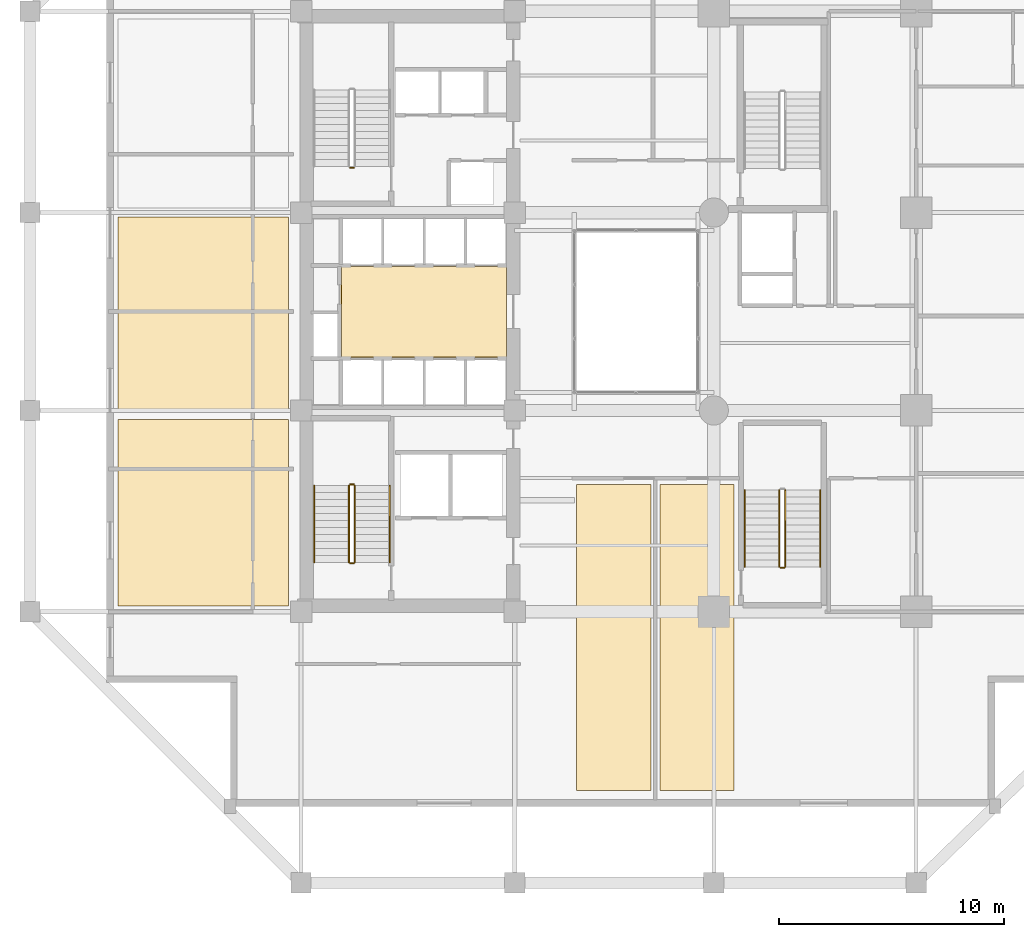
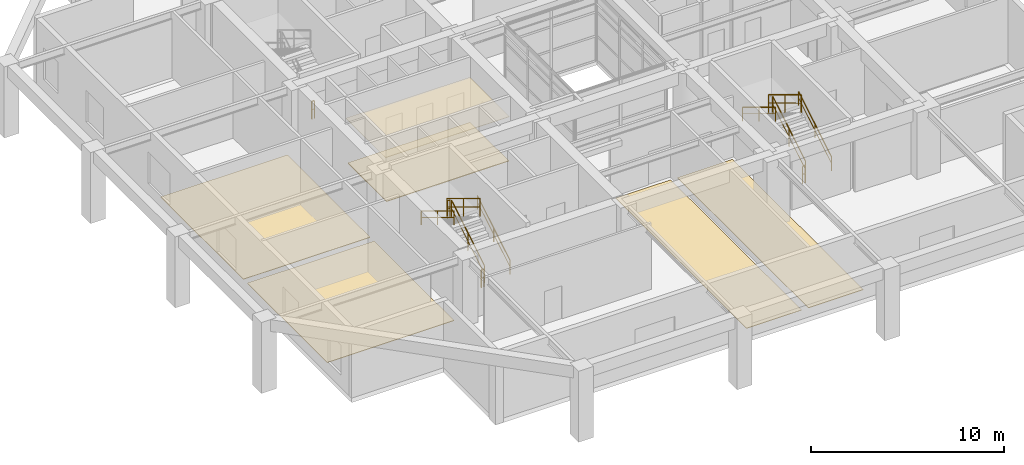
# One storey, part 11 of 13: 12 railings, 6 coverings.
"""IFC4 building model written with IfcOpenShell, lengths in metres."""

from ifc_helpers import new_model, si_unit, direction, frame, origin, origin_2d, place, context, subcontext, project, spatial, polyline, rectangle, outline, extrude, material, layer, layer_set, type_object, element, save


model = new_model("IFC4")

# Units and contexts
model_context = context("Model", 3, precision=1e-05, world=origin(), true_north=direction((0.0, 1.0)))
body_context = subcontext(model_context, "Body", "Model", "MODEL_VIEW")
ifc_project = project(units=[si_unit("LENGTHUNIT", "METRE"), si_unit("AREAUNIT", "SQUARE_METRE"), si_unit("VOLUMEUNIT", "CUBIC_METRE"), si_unit("PLANEANGLEUNIT", "RADIAN"), si_unit("MASSUNIT", "GRAM", prefix="KILO")], contexts=[model_context])

# Site, building, storey
site_placement = place(None, origin())
site = spatial("IfcSite", under=ifc_project, at=site_placement, CompositionType="ELEMENT")
building_placement = place(site_placement, origin())
building = spatial("IfcBuilding", under=site, at=building_placement, Name="Kundavana Baori Tower", CompositionType="ELEMENT")
storey_placement = place(building_placement, frame((0.0, 0.0, 17.0)))
storey = spatial("IfcBuildingStorey", under=building, at=storey_placement, Name="L03", CompositionType="ELEMENT", Elevation=17.0)

# Coverings
ifc_material_1 = material(Name="Honed Kota Stone and Terrazzo Flooring", Category="masonry")
ifc_layer_1 = layer(ifc_material_1, 0.0400390625, Name="COV-FLR-TERR-40")
ifc_layer_set_1 = layer_set([ifc_layer_1], Name="Honed Kota Stone and Terrazzo Flooring")
covering_type_1 = type_object("IfcCoveringType", Name="COV-FLR-TERR-40", PredefinedType="FLOORING", material=ifc_layer_set_1)
covering_1_placement = place(storey_placement, origin())
element("IfcCovering", 1, at=covering_1_placement, inside=storey, type_object=covering_type_1, Name="L03 Core Lift Lobby Kota Stone Flooring", PredefinedType="FLOORING", context=body_context, shape_type="SweptSolid", body=[
    extrude(outline(polyline([(17.25, 26.580078125), (24.580078125, 26.580078125), (24.580078125, 30.60009765625), (17.25, 30.60009765625), (17.25, 26.580078125)])), origin(), (0.0, 0.0, 1.0), 0.0400390625),
])
ifc_material_2 = material(Name="Perforated Acoustic Mineral Fibre Ceiling Board")
ifc_layer_2 = layer(ifc_material_2, 0.02490234375, Name="COV-INT-CEIL")
ifc_layer_set_2 = layer_set([ifc_layer_2], Name="Perforated Acoustic Mineral Fibre Ceiling Board")
covering_type_2 = type_object("IfcCoveringType", Name="COV-INT-CEIL", PredefinedType="CEILING", material=ifc_layer_set_2)
covering_2_placement = place(storey_placement, frame((0.0, 0.0, 2.85009765625)))
element("IfcCovering", 2, at=covering_2_placement, inside=storey, type_object=covering_type_2, Name="L03 Core Lift Lobby Acoustic Ceiling", PredefinedType="CEILING", context=body_context, shape_type="SweptSolid", body=[
    extrude(outline(polyline([(17.159912109375, 26.52001953125), (24.580078125, 26.52001953125), (24.580078125, 30.639892578125), (17.159912109375, 30.639892578125), (17.159912109375, 26.52001953125)])), origin(), (0.0, 0.0, 1.0), 0.02490234375),
])
ifc_material_3 = material(Name="Honed Kota Stone and Terrazzo Flooring", Category="masonry")
ifc_layer_3 = layer(ifc_material_3, 0.030029296875, Name="COV-INT-FLR")
ifc_layer_set_3 = layer_set([ifc_layer_3], Name="Honed Kota Stone and Terrazzo Flooring")
covering_type_3 = type_object("IfcCoveringType", Name="COV-INT-FLR", PredefinedType="FLOORING", material=ifc_layer_set_3)
covering_3_placement = place(storey_placement, origin())
element("IfcCovering", 3, at=covering_3_placement, inside=storey, type_object=covering_type_3, Name="L03 Room Finished Stone Flooring 1", PredefinedType="FLOORING", context=body_context, shape_type="SweptSolid", body=[
    extrude(outline(polyline([(7.300048828125, 15.5), (14.89990234375, 15.5), (14.89990234375, 23.800048828125), (7.300048828125, 23.800048828125), (7.300048828125, 15.5)])), origin(), (0.0, 0.0, 1.0), 0.030029296875),
])
covering_4_placement = place(storey_placement, origin())
element("IfcCovering", 4, at=covering_4_placement, inside=storey, type_object=covering_type_3, Name="L03 Room Finished Stone Flooring 2", PredefinedType="FLOORING", context=body_context, shape_type="SweptSolid", body=[
    extrude(outline(polyline([(7.300048828125, 24.199951171875), (14.89990234375, 24.199951171875), (14.89990234375, 32.800048828125), (7.300048828125, 32.800048828125), (7.300048828125, 24.199951171875)])), origin(), (0.0, 0.0, 1.0), 0.030029296875),
])
covering_5_placement = place(storey_placement, origin())
element("IfcCovering", 5, at=covering_5_placement, inside=storey, type_object=covering_type_3, Name="L03 Room Finished Stone Flooring 5", PredefinedType="FLOORING", context=body_context, shape_type="SweptSolid", body=[
    extrude(outline(polyline([(27.699951171875, 7.300048828125), (31.0, 7.300048828125), (31.0, 20.89990234375), (27.699951171875, 20.89990234375), (27.699951171875, 7.300048828125)])), origin(), (0.0, 0.0, 1.0), 0.030029296875),
])
covering_6_placement = place(storey_placement, origin())
element("IfcCovering", 6, at=covering_6_placement, inside=storey, type_object=covering_type_3, Name="L03 Room Finished Stone Flooring 6", PredefinedType="FLOORING", context=body_context, shape_type="SweptSolid", body=[
    extrude(outline(polyline([(31.39990234375, 7.300048828125), (34.699951171875, 7.300048828125), (34.699951171875, 20.89990234375), (31.39990234375, 20.89990234375), (31.39990234375, 7.300048828125)])), origin(), (0.0, 0.0, 1.0), 0.030029296875),
])

# Railings
ifc_material_4 = material(Name="Architectural Patinated Bronze Metalwork")
railing_type_1 = type_object("IfcRailingType", Name="RL-GRD-1150", PredefinedType="GUARDRAIL", material=ifc_material_4)
railing_1_placement = place(storey_placement, frame((17.840087890625, 17.449951171875, 0.1875)))
element("IfcRailing", 7, at=railing_1_placement, inside=storey, type_object=railing_type_1, Name="L03 ST1 stair guard 1", PredefinedType="GUARDRAIL", context=body_context, shape_type="SweptSolid", body=[
    extrude(rectangle(XDim=0.048095703125, YDim=0.048095703125, at=origin_2d()), frame((0.0, 0.0, 1.1259765625), z_axis=(0.0, 0.855671421885, 0.517519485401), x_axis=(-1.0, 0.0, 0.0)), (0.0, 0.0, 1.0), 3.9853515625),
    extrude(rectangle(XDim=0.03125, YDim=0.03125, at=origin_2d()), frame((0.0, 0.0, 0.597900390625), z_axis=(0.0, 0.855671421885, 0.517519485401), x_axis=(-1.0, 0.0, 0.0)), (0.0, 0.0, 1.0), 3.9853515625),
    extrude(rectangle(XDim=0.0419921875, YDim=0.0419921875, at=origin_2d()), origin(), (0.0, 0.0, 1.0), 1.101806640625),
    extrude(rectangle(XDim=0.0419921875, YDim=0.0419921875, at=origin_2d()), frame((0.0, 1.705078125, 1.03125)), (0.0, 0.0, 1.0), 1.101806640625),
    extrude(rectangle(XDim=0.0419921875, YDim=0.0419921875, at=origin_2d()), frame((0.0, 3.41015625, 2.0625)), (0.0, 0.0, 1.0), 1.101806640625),
])
railing_2_placement = place(storey_placement, frame((17.7900390625, 20.909912109375, 2.25)))
element("IfcRailing", 8, at=railing_2_placement, inside=storey, type_object=railing_type_1, Name="L03 ST1 stair guard 2", PredefinedType="GUARDRAIL", context=body_context, shape_type="SweptSolid", body=[
    extrude(rectangle(XDim=0.048095703125, YDim=0.048095703125, at=origin_2d()), frame((0.0, 0.0, 1.1259765625), z_axis=(-1.0, 0.0, 0.0), x_axis=(0.0, -1.0, 0.0)), (0.0, 0.0, 1.0), 0.16015625),
    extrude(rectangle(XDim=0.03125, YDim=0.03125, at=origin_2d()), frame((0.0, 0.0, 0.597900390625), z_axis=(-1.0, 0.0, 0.0), x_axis=(0.0, -1.0, 0.0)), (0.0, 0.0, 1.0), 0.16015625),
    extrude(rectangle(XDim=0.0419921875, YDim=0.0419921875, at=origin_2d()), origin(), (0.0, 0.0, 1.0), 1.101806640625),
    extrude(rectangle(XDim=0.0419921875, YDim=0.0419921875, at=origin_2d()), frame((-0.16015625, 0.0, 0.0)), (0.0, 0.0, 1.0), 1.101806640625),
])
railing_3_placement = place(storey_placement, frame((17.580078125, 20.860107421875, 2.4375)))
element("IfcRailing", 9, at=railing_3_placement, inside=storey, type_object=railing_type_1, Name="L03 ST1 stair guard 3", PredefinedType="GUARDRAIL", context=body_context, shape_type="SweptSolid", body=[
    extrude(rectangle(XDim=0.048095703125, YDim=0.048095703125, at=origin_2d()), frame((0.0, 0.0, 1.1259765625), z_axis=(0.0, -0.855671421885, 0.517519485401), x_axis=(1.0, 0.0, 0.0)), (0.0, 0.0, 1.0), 3.9853515625),
    extrude(rectangle(XDim=0.03125, YDim=0.03125, at=origin_2d()), frame((0.0, 0.0, 0.597900390625), z_axis=(0.0, -0.855671421885, 0.517519485401), x_axis=(1.0, 0.0, 0.0)), (0.0, 0.0, 1.0), 3.9853515625),
    extrude(rectangle(XDim=0.0419921875, YDim=0.0419921875, at=origin_2d()), origin(), (0.0, 0.0, 1.0), 1.101806640625),
    extrude(rectangle(XDim=0.0419921875, YDim=0.0419921875, at=origin_2d()), frame((0.0, -1.705078125, 1.03125)), (0.0, 0.0, 1.0), 1.101806640625),
    extrude(rectangle(XDim=0.0419921875, YDim=0.0419921875, at=origin_2d()), frame((0.0, -3.41015625, 2.0625)), (0.0, 0.0, 1.0), 1.101806640625),
])
for number, where, name in (
    (10, (17.7900390625, 17.39990234375, 0.0), "L03 ST1 stair guard 4"),
    (11, (17.7900390625, 35.0, 0.0), "L03 ST2 stair guard 4"),
):
    element("IfcRailing", number, at=place(storey_placement, frame(where)), inside=storey, type_object=railing_type_1, Name=name, PredefinedType="GUARDRAIL", context=body_context, shape_type="SweptSolid", body=[
        extrude(rectangle(XDim=0.048095703125, YDim=0.048095703125, at=origin_2d()), frame((0.0, 0.0, 1.1259765625), z_axis=(-1.0, 0.0, 0.0), x_axis=(0.0, -1.0, 0.0)), (0.0, 0.0, 1.0), 0.16015625),
        extrude(rectangle(XDim=0.03125, YDim=0.03125, at=origin_2d()), frame((0.0, 0.0, 0.597900390625), z_axis=(-1.0, 0.0, 0.0), x_axis=(0.0, -1.0, 0.0)), (0.0, 0.0, 1.0), 0.16015625),
        extrude(rectangle(XDim=0.0419921875, YDim=0.0419921875, at=origin_2d()), origin(), (0.0, 0.0, 1.0), 1.101806640625),
        extrude(rectangle(XDim=0.0419921875, YDim=0.0419921875, at=origin_2d()), frame((-0.16015625, 0.0, 0.0)), (0.0, 0.0, 1.0), 1.101806640625),
    ])
railing_4_placement = place(storey_placement, frame((36.97998046875, 17.25, 0.1875)))
element("IfcRailing", 12, at=railing_4_placement, inside=storey, type_object=railing_type_1, Name="L03 ST4 stair guard 1", PredefinedType="GUARDRAIL", context=body_context, shape_type="SweptSolid", body=[
    extrude(rectangle(XDim=0.048095703125, YDim=0.048095703125, at=origin_2d()), frame((0.0, 0.0, 1.1259765625), z_axis=(0.0, 0.855655013707, 0.517546613861), x_axis=(-1.0, 0.0, 0.0)), (0.0, 0.0, 1.0), 3.985107421875),
    extrude(rectangle(XDim=0.03125, YDim=0.03125, at=origin_2d()), frame((0.0, 0.0, 0.597900390625), z_axis=(0.0, 0.855655013707, 0.517546613861), x_axis=(-1.0, 0.0, 0.0)), (0.0, 0.0, 1.0), 3.985107421875),
    extrude(rectangle(XDim=0.0419921875, YDim=0.0419921875, at=origin_2d()), origin(), (0.0, 0.0, 1.0), 1.101806640625),
    extrude(rectangle(XDim=0.0419921875, YDim=0.0419921875, at=origin_2d()), frame((0.0, 1.705078125, 1.03125)), (0.0, 0.0, 1.0), 1.101806640625),
    extrude(rectangle(XDim=0.0419921875, YDim=0.0419921875, at=origin_2d()), frame((0.0, 3.409912109375, 2.0625)), (0.0, 0.0, 1.0), 1.101806640625),
])
railing_5_placement = place(storey_placement, frame((36.719970703125, 20.659912109375, 2.4375)))
element("IfcRailing", 13, at=railing_5_placement, inside=storey, type_object=railing_type_1, Name="L03 ST4 stair guard 3", PredefinedType="GUARDRAIL", context=body_context, shape_type="SweptSolid", body=[
    extrude(rectangle(XDim=0.048095703125, YDim=0.048095703125, at=origin_2d()), frame((0.0, 0.0, 1.1259765625), z_axis=(0.0, -0.855655013707, 0.517546613861), x_axis=(1.0, 0.0, 0.0)), (0.0, 0.0, 1.0), 3.985107421875),
    extrude(rectangle(XDim=0.03125, YDim=0.03125, at=origin_2d()), frame((0.0, 0.0, 0.597900390625), z_axis=(0.0, -0.855655013707, 0.517546613861), x_axis=(1.0, 0.0, 0.0)), (0.0, 0.0, 1.0), 3.985107421875),
    extrude(rectangle(XDim=0.0419921875, YDim=0.0419921875, at=origin_2d()), origin(), (0.0, 0.0, 1.0), 1.101806640625),
    extrude(rectangle(XDim=0.0419921875, YDim=0.0419921875, at=origin_2d()), frame((0.0, -1.705078125, 1.03125)), (0.0, 0.0, 1.0), 1.101806640625),
    extrude(rectangle(XDim=0.0419921875, YDim=0.0419921875, at=origin_2d()), frame((0.0, -3.409912109375, 2.0625)), (0.0, 0.0, 1.0), 1.101806640625),
])
railing_6_placement = place(storey_placement, frame((36.929931640625, 17.199951171875, 0.0)))
element("IfcRailing", 14, at=railing_6_placement, inside=storey, type_object=railing_type_1, Name="L03 ST4 stair guard 4", PredefinedType="GUARDRAIL", context=body_context, shape_type="SweptSolid", body=[
    extrude(rectangle(XDim=0.048095703125, YDim=0.048095703125, at=origin_2d()), frame((0.0, 0.0, 1.1259765625), z_axis=(-1.0, 0.0, 0.0), x_axis=(0.0, -1.0, 0.0)), (0.0, 0.0, 1.0), 0.159912109375),
    extrude(rectangle(XDim=0.03125, YDim=0.03125, at=origin_2d()), frame((0.0, 0.0, 0.597900390625), z_axis=(-1.0, 0.0, 0.0), x_axis=(0.0, -1.0, 0.0)), (0.0, 0.0, 1.0), 0.159912109375),
    extrude(rectangle(XDim=0.0419921875, YDim=0.0419921875, at=origin_2d()), origin(), (0.0, 0.0, 1.0), 1.101806640625),
    extrude(rectangle(XDim=0.0419921875, YDim=0.0419921875, at=origin_2d()), frame((-0.159912109375, 0.0, 0.0)), (0.0, 0.0, 1.0), 1.101806640625),
])
ifc_material_5 = material(Name="Architectural Patinated Bronze Metalwork")
railing_type_2 = type_object("IfcRailingType", Name="RL-HND-920", PredefinedType="HANDRAIL", material=ifc_material_5)
railing_7_placement = place(storey_placement, frame((19.389892578125, 17.449951171875, 0.1875)))
element("IfcRailing", 15, at=railing_7_placement, inside=storey, type_object=railing_type_2, Name="L03 ST1 stair handrail 1", PredefinedType="HANDRAIL", context=body_context, shape_type="SweptSolid", body=[
    extrude(rectangle(XDim=0.048095703125, YDim=0.048095703125, at=origin_2d()), frame((0.0, 0.0, 0.8759765625), z_axis=(0.0, 0.855671421885, 0.517519485401), x_axis=(-1.0, 0.0, 0.0)), (0.0, 0.0, 1.0), 3.9853515625),
    extrude(rectangle(XDim=0.03125, YDim=0.03125, at=origin_2d()), frame((0.0, 0.0, 0.468017578125), z_axis=(0.0, 0.855671421885, 0.517519485401), x_axis=(-1.0, 0.0, 0.0)), (0.0, 0.0, 1.0), 3.9853515625),
    extrude(rectangle(XDim=0.0419921875, YDim=0.0419921875, at=origin_2d()), origin(), (0.0, 0.0, 1.0), 0.851806640625),
    extrude(rectangle(XDim=0.0419921875, YDim=0.0419921875, at=origin_2d()), frame((0.0, 1.705078125, 1.03125)), (0.0, 0.0, 1.0), 0.851806640625),
    extrude(rectangle(XDim=0.0419921875, YDim=0.0419921875, at=origin_2d()), frame((0.0, 3.41015625, 2.0625)), (0.0, 0.0, 1.0), 0.851806640625),
])
railing_8_placement = place(storey_placement, frame((16.030029296875, 20.860107421875, 2.4375)))
element("IfcRailing", 16, at=railing_8_placement, inside=storey, type_object=railing_type_2, Name="L03 ST1 stair handrail 2", PredefinedType="HANDRAIL", context=body_context, shape_type="SweptSolid", body=[
    extrude(rectangle(XDim=0.048095703125, YDim=0.048095703125, at=origin_2d()), frame((0.0, 0.0, 0.8759765625), z_axis=(0.0, -0.855671421885, 0.517519485401), x_axis=(1.0, 0.0, 0.0)), (0.0, 0.0, 1.0), 3.9853515625),
    extrude(rectangle(XDim=0.03125, YDim=0.03125, at=origin_2d()), frame((0.0, 0.0, 0.468017578125), z_axis=(0.0, -0.855671421885, 0.517519485401), x_axis=(1.0, 0.0, 0.0)), (0.0, 0.0, 1.0), 3.9853515625),
    extrude(rectangle(XDim=0.0419921875, YDim=0.0419921875, at=origin_2d()), origin(), (0.0, 0.0, 1.0), 0.851806640625),
    extrude(rectangle(XDim=0.0419921875, YDim=0.0419921875, at=origin_2d()), frame((0.0, -1.705078125, 1.03125)), (0.0, 0.0, 1.0), 0.851806640625),
    extrude(rectangle(XDim=0.0419921875, YDim=0.0419921875, at=origin_2d()), frame((0.0, -3.41015625, 2.0625)), (0.0, 0.0, 1.0), 0.851806640625),
])
railing_9_placement = place(storey_placement, frame((38.530029296875, 17.25, 0.1875)))
element("IfcRailing", 17, at=railing_9_placement, inside=storey, type_object=railing_type_2, Name="L03 ST4 stair handrail 1", PredefinedType="HANDRAIL", context=body_context, shape_type="SweptSolid", body=[
    extrude(rectangle(XDim=0.048095703125, YDim=0.048095703125, at=origin_2d()), frame((0.0, 0.0, 0.8759765625), z_axis=(0.0, 0.855655013707, 0.517546613861), x_axis=(-1.0, 0.0, 0.0)), (0.0, 0.0, 1.0), 3.985107421875),
    extrude(rectangle(XDim=0.03125, YDim=0.03125, at=origin_2d()), frame((0.0, 0.0, 0.468017578125), z_axis=(0.0, 0.855655013707, 0.517546613861), x_axis=(-1.0, 0.0, 0.0)), (0.0, 0.0, 1.0), 3.985107421875),
    extrude(rectangle(XDim=0.0419921875, YDim=0.0419921875, at=origin_2d()), origin(), (0.0, 0.0, 1.0), 0.851806640625),
    extrude(rectangle(XDim=0.0419921875, YDim=0.0419921875, at=origin_2d()), frame((0.0, 1.705078125, 1.03125)), (0.0, 0.0, 1.0), 0.851806640625),
    extrude(rectangle(XDim=0.0419921875, YDim=0.0419921875, at=origin_2d()), frame((0.0, 3.409912109375, 2.0625)), (0.0, 0.0, 1.0), 0.851806640625),
])
railing_10_placement = place(storey_placement, frame((35.169921875, 20.659912109375, 2.4375)))
element("IfcRailing", 18, at=railing_10_placement, inside=storey, type_object=railing_type_2, Name="L03 ST4 stair handrail 2", PredefinedType="HANDRAIL", context=body_context, shape_type="SweptSolid", body=[
    extrude(rectangle(XDim=0.048095703125, YDim=0.048095703125, at=origin_2d()), frame((0.0, 0.0, 0.8759765625), z_axis=(0.0, -0.855655013707, 0.517546613861), x_axis=(1.0, 0.0, 0.0)), (0.0, 0.0, 1.0), 3.985107421875),
    extrude(rectangle(XDim=0.03125, YDim=0.03125, at=origin_2d()), frame((0.0, 0.0, 0.468017578125), z_axis=(0.0, -0.855655013707, 0.517546613861), x_axis=(1.0, 0.0, 0.0)), (0.0, 0.0, 1.0), 3.985107421875),
    extrude(rectangle(XDim=0.0419921875, YDim=0.0419921875, at=origin_2d()), origin(), (0.0, 0.0, 1.0), 0.851806640625),
    extrude(rectangle(XDim=0.0419921875, YDim=0.0419921875, at=origin_2d()), frame((0.0, -1.705078125, 1.03125)), (0.0, 0.0, 1.0), 0.851806640625),
    extrude(rectangle(XDim=0.0419921875, YDim=0.0419921875, at=origin_2d()), frame((0.0, -3.409912109375, 2.0625)), (0.0, 0.0, 1.0), 0.851806640625),
])

save(model, "model.ifc")
